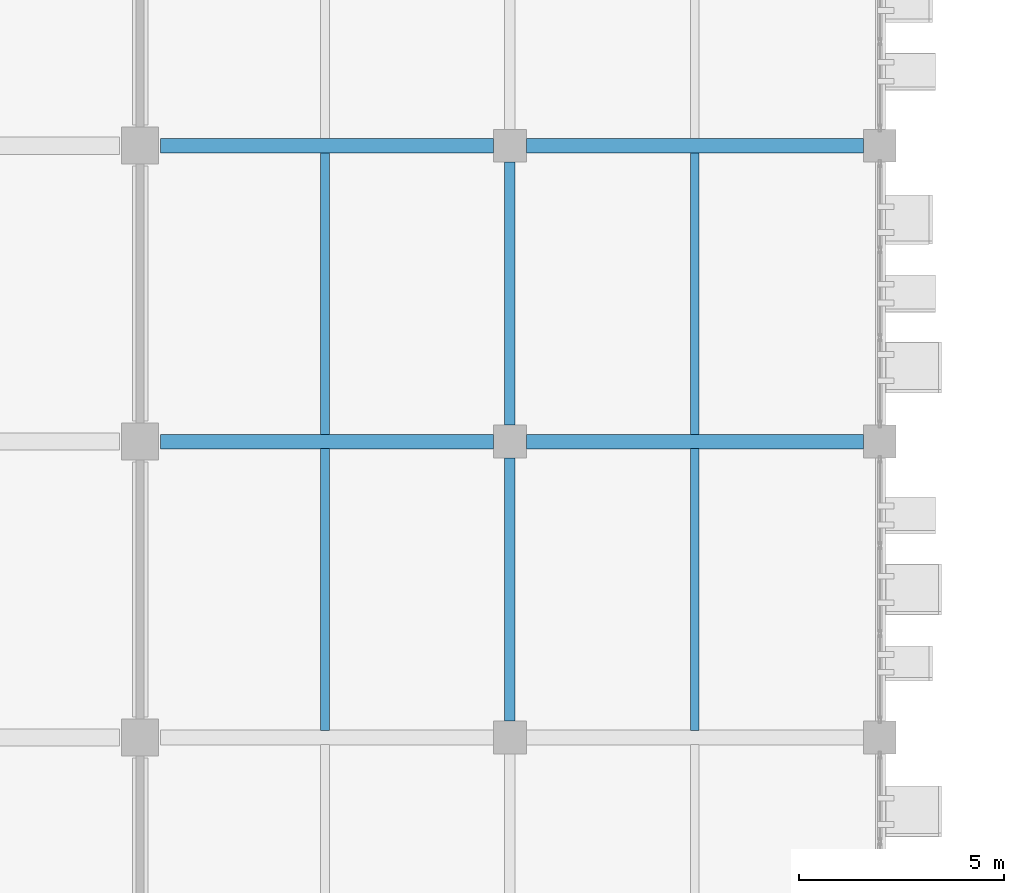
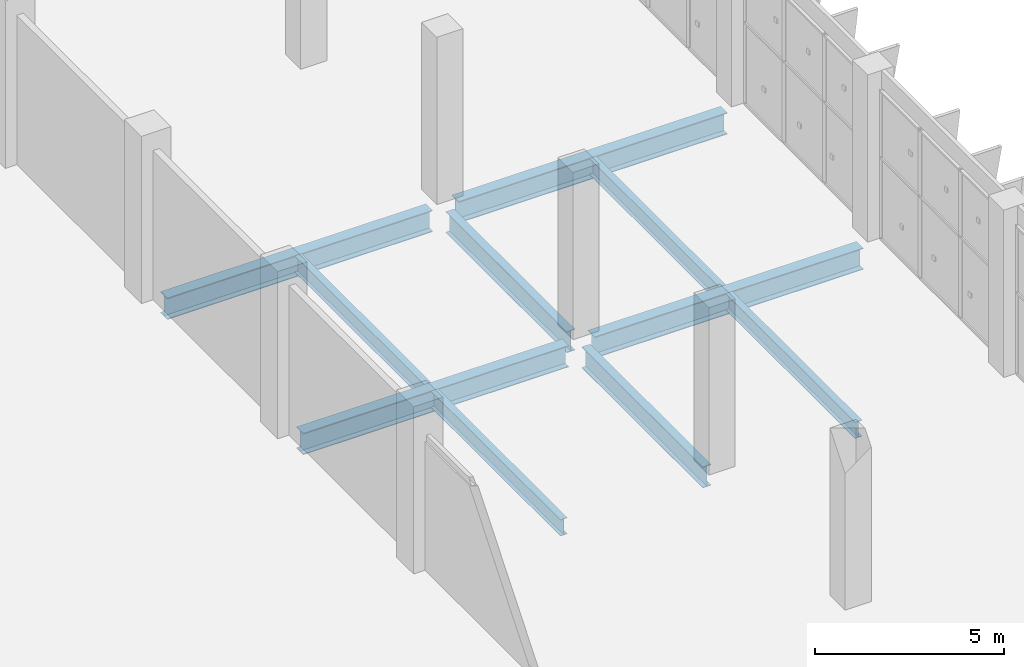
# One storey, part 55 of 137: 10 beams.
"""IFC4 building model written with IfcOpenShell, lengths in metres."""

from ifc_helpers import new_model, si_unit, direction, frame, origin, origin_2d, place, context, subcontext, project, spatial, i_section, extrude, material, material_profile, profile_set, type_object, element, save


model = new_model("IFC4")

# Units and contexts
model_context = context("Model", 3, precision=1e-05, world=origin(), true_north=direction((0.0, 1.0)))
body_context = subcontext(model_context, "Body", "Model", "MODEL_VIEW")
ifc_project = project(units=[si_unit("LENGTHUNIT", "METRE"), si_unit("AREAUNIT", "SQUARE_METRE"), si_unit("VOLUMEUNIT", "CUBIC_METRE"), si_unit("PLANEANGLEUNIT", "RADIAN"), si_unit("MASSUNIT", "GRAM", prefix="KILO")], contexts=[model_context])

# Site, building, storey
site_placement = place(None, origin())
site = spatial("IfcSite", under=ifc_project, at=site_placement, CompositionType="ELEMENT")
building_placement = place(site_placement, origin())
building = spatial("IfcBuilding", under=site, at=building_placement, Name="Celestram Park Convention Centre", CompositionType="ELEMENT")
storey_placement = place(building_placement, origin())
storey = spatial("IfcBuildingStorey", under=building, at=storey_placement, Name="L00", CompositionType="ELEMENT", Elevation=0.0)

# Beams
ifc_material = material(Name="Steel ASTM A992 Grade 50", Category="steel")
ifc_material_profile_1 = material_profile(ifc_material, i_section(OverallWidth=0.35595703125, OverallDepth=0.696044921875, WebThickness=0.015380859375, FlangeThickness=0.02490234375, at=origin_2d()), Name="W27X146")
ifc_profile_set_1 = profile_set([ifc_material_profile_1], Name="Steel ASTM A992 Grade 50")
beam_type_1 = type_object("IfcBeamType", Name="STR-BM-W27X146", PredefinedType="BEAM", material=ifc_profile_set_1)
for number, where, z_axis, x_axis, name in (
    (1, (126.498046875, 86.39990234375, -0.66796875), (1.0, 0.0, 0.0), (0.0, 1.0, 0.0), "Primary X-girder BG-L00-0600"),
    (2, (126.498046875, 93.60009765625, -0.66796875), (1.0, 0.0, 0.0), (0.0, 1.0, 0.0), "Primary X-girder BG-L00-0602"),
):
    element("IfcBeam", number, at=place(storey_placement, frame(where, z_axis=z_axis, x_axis=x_axis)), inside=storey, type_object=beam_type_1, Name=name, PredefinedType="BEAM", context=body_context, shape_type="SweptSolid", body=[
        extrude(i_section(OverallWidth=0.35595703125, OverallDepth=0.696044921875, WebThickness=0.015380859375, FlangeThickness=0.02490234375, at=origin_2d()), origin(), (0.0, 0.0, 1.0), 8.10400390625),
    ])
for number, where, z_axis, x_axis, name in (
    (3, (135.39794921875, 86.39990234375, -0.66796875), (1.0, 0.0, 0.0), (0.0, 1.0, 0.0), "Primary X-girder BG-L00-0639"),
    (4, (135.39794921875, 93.60009765625, -0.66796875), (1.0, 0.0, 0.0), (0.0, 1.0, 0.0), "Primary X-girder BG-L00-0641"),
):
    element("IfcBeam", number, at=place(storey_placement, frame(where, z_axis=z_axis, x_axis=x_axis)), inside=storey, type_object=beam_type_1, Name=name, PredefinedType="BEAM", context=body_context, shape_type="SweptSolid", body=[
        extrude(i_section(OverallWidth=0.35595703125, OverallDepth=0.696044921875, WebThickness=0.015380859375, FlangeThickness=0.02490234375, at=origin_2d()), origin(), (0.0, 0.0, 1.0), 8.2041015625),
    ])
ifc_material_profile_2 = material_profile(ifc_material, i_section(OverallWidth=0.25390625, OverallDepth=0.68310546875, WebThickness=0.012451171875, FlangeThickness=0.01904296875, at=origin_2d()), Name="W27X94")
ifc_profile_set_2 = profile_set([ifc_material_profile_2], Name="Steel ASTM A992 Grade 50")
beam_type_2 = type_object("IfcBeamType", Name="STR-BM-W27X94", PredefinedType="BEAM", material=ifc_profile_set_2)
beam_1_placement = place(storey_placement, frame((135.0, 79.597900390625, -0.66162109375), z_axis=(0.0, 1.0, 0.0), x_axis=(-1.0, 0.0, 0.0)))
element("IfcBeam", 5, at=beam_1_placement, inside=storey, type_object=beam_type_2, Name="Primary Y-girder BG-L00-0638", PredefinedType="BEAM", context=body_context, shape_type="SweptSolid", body=[
    extrude(i_section(OverallWidth=0.25390625, OverallDepth=0.68310546875, WebThickness=0.012451171875, FlangeThickness=0.01904296875, at=origin_2d()), origin(), (0.0, 0.0, 1.0), 6.404052734375),
])
beam_2_placement = place(storey_placement, frame((135.0, 86.798095703125, -0.66162109375), z_axis=(0.0, 1.0, 0.0), x_axis=(-1.0, 0.0, 0.0)))
element("IfcBeam", 6, at=beam_2_placement, inside=storey, type_object=beam_type_2, Name="Primary Y-girder BG-L00-0640", PredefinedType="BEAM", context=body_context, shape_type="SweptSolid", body=[
    extrude(i_section(OverallWidth=0.25390625, OverallDepth=0.68310546875, WebThickness=0.012451171875, FlangeThickness=0.01904296875, at=origin_2d()), origin(), (0.0, 0.0, 1.0), 6.40380859375),
])
ifc_material_profile_3 = material_profile(ifc_material, i_section(OverallWidth=0.2099609375, OverallDepth=0.532958984375, WebThickness=0.01025390625, FlangeThickness=0.015625, at=origin_2d()), Name="W21X62")
ifc_profile_set_3 = profile_set([ifc_material_profile_3], Name="Steel ASTM A992 Grade 50")
beam_type_3 = type_object("IfcBeamType", Name="STR-JST-W21X62", PredefinedType="JOIST", material=ifc_profile_set_3)
for number, where, z_axis, x_axis, name in (
    (7, (130.5, 79.3740234375, -0.58642578125), (0.0, 1.0, 0.0), (-1.0, 0.0, 0.0), "Secondary composite joist BG-L00-1146"),
    (8, (130.5, 86.573974609375, -0.58642578125), (0.0, 1.0, 0.0), (-1.0, 0.0, 0.0), "Secondary composite joist BG-L00-1147"),
    (9, (139.5, 79.3740234375, -0.58642578125), (0.0, 1.0, 0.0), (-1.0, 0.0, 0.0), "Secondary composite joist BG-L00-1162"),
    (10, (139.5, 86.573974609375, -0.58642578125), (0.0, 1.0, 0.0), (-1.0, 0.0, 0.0), "Secondary composite joist BG-L00-1163"),
):
    element("IfcBeam", number, at=place(storey_placement, frame(where, z_axis=z_axis, x_axis=x_axis)), inside=storey, type_object=beam_type_3, Name=name, PredefinedType="JOIST", context=body_context, shape_type="SweptSolid", body=[
        extrude(i_section(OverallWidth=0.2099609375, OverallDepth=0.532958984375, WebThickness=0.01025390625, FlangeThickness=0.015625, at=origin_2d()), origin(), (0.0, 0.0, 1.0), 6.85205078125),
    ])

save(model, "model.ifc")
